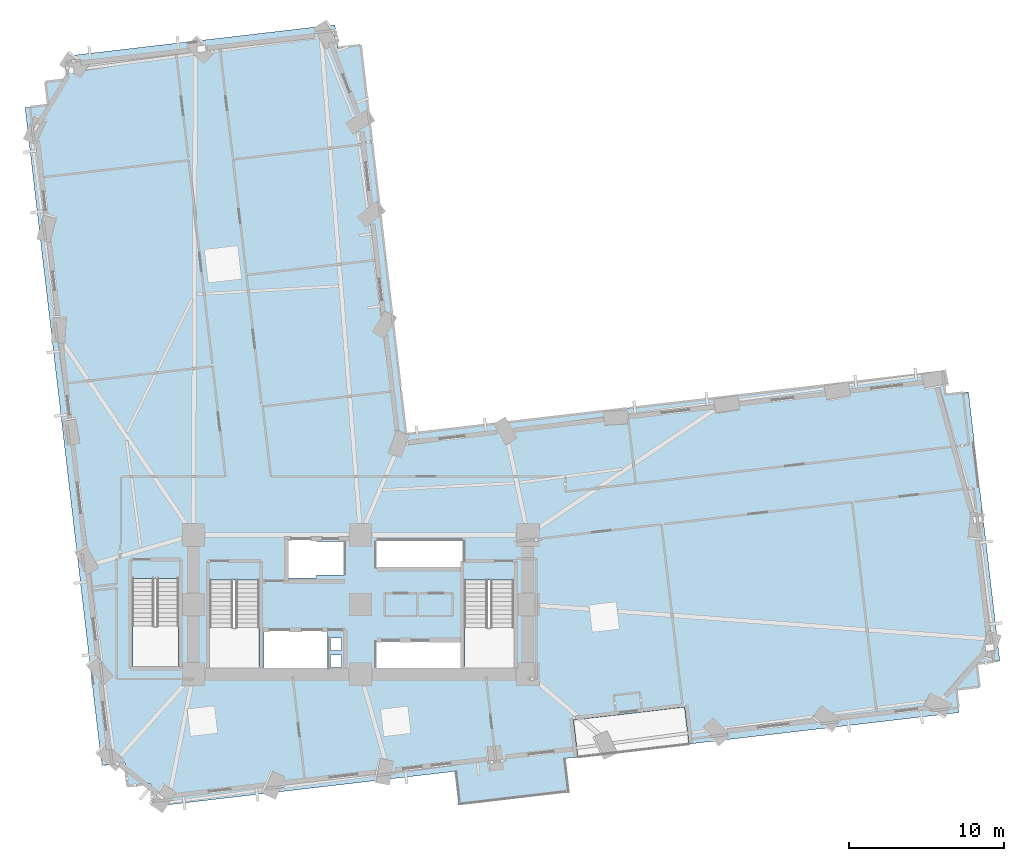
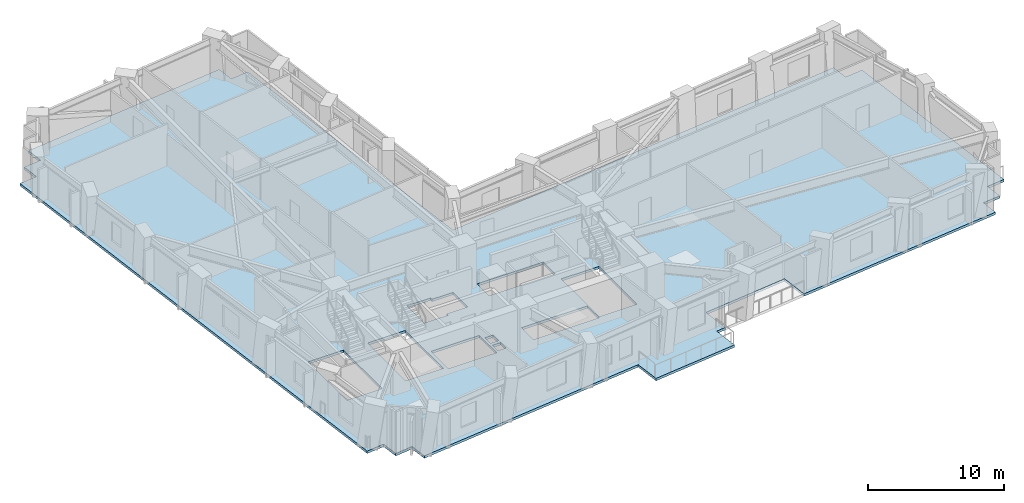
# One storey, part 4 of 14: 1 slab.
"""IFC4 building model written with IfcOpenShell, lengths in metres."""

from ifc_helpers import new_model, si_unit, direction, frame, origin, place, context, subcontext, project, spatial, polyline, outline, extrude, material, layer, layer_set, type_object, element, save


model = new_model("IFC4")

# Units and contexts
model_context = context("Model", 3, precision=1e-05, world=origin(), true_north=direction((0.0, 1.0)))
body_context = subcontext(model_context, "Body", "Model", "MODEL_VIEW")
ifc_project = project(units=[si_unit("LENGTHUNIT", "METRE"), si_unit("AREAUNIT", "SQUARE_METRE"), si_unit("VOLUMEUNIT", "CUBIC_METRE"), si_unit("PLANEANGLEUNIT", "RADIAN"), si_unit("MASSUNIT", "GRAM", prefix="KILO")], contexts=[model_context])

# Site, building, storey
site_placement = place(None, origin())
site = spatial("IfcSite", under=ifc_project, at=site_placement, CompositionType="ELEMENT")
building_placement = place(site_placement, origin())
building = spatial("IfcBuilding", under=site, at=building_placement, Name="Gaonmaruhae Medical Tower", CompositionType="ELEMENT")
storey_placement = place(building_placement, frame((0.0, 0.0, 51.0)))
storey = spatial("IfcBuildingStorey", under=building, at=storey_placement, Name="L11", CompositionType="ELEMENT", Elevation=51.0)

# Slab
ifc_material = material(Name="Concrete C40/50", Category="concrete")
ifc_layer = layer(ifc_material, 0.219970703125)
ifc_layer_set = layer_set([ifc_layer], Name="Concrete C40/50")
slab_type = type_object("IfcSlabType", Name="FS-220 Clinical Ward Composite Floor Slab", PredefinedType="FLOOR", material=ifc_layer_set)
slab_placement = place(storey_placement, frame((0.0, 0.0, -0.219970703125)))
element("IfcSlab", 1, at=slab_placement, inside=storey, type_object=slab_type, Name="L11 Structural Slab 1", PredefinedType="FLOOR", context=body_context, shape_type="SweptSolid", body=[
    extrude(outline(polyline([(11.23486328125, 0.748291015625), (9.744873046875, 0.574462890625), (9.5712890625, 2.064453125), (8.081298828125, 1.890625), (3.125, 44.402587890625), (4.61474609375, 44.576416015625), (4.441162109375, 46.06640625), (5.930908203125, 46.239990234375), (5.75732421875, 47.72998046875), (23.1396484375, 49.756591796875), (23.313232421875, 48.2666015625), (24.80322265625, 48.440185546875), (27.73291015625, 23.310546875), (62.398193359375, 27.35205078125), (62.572021484375, 25.8623046875), (64.061767578125, 26.035888671875), (66.08837890625, 8.65380859375), (64.598388671875, 8.47998046875), (64.772216796875, 6.989990234375), (63.2822265625, 6.81640625), (63.4560546875, 5.326416015625), (45.993408203125, 3.29052734375), (45.71533203125, 5.67431640625), (38.563720703125, 4.840576171875), (38.841796875, 2.456787109375), (38.047119140625, 2.364013671875), (38.302001953125, 0.1787109375), (31.150390625, -0.65478515625), (30.8955078125, 1.5302734375), (11.408447265625, -0.74169921875), (11.23486328125, 0.748291015625)]), holes=[polyline([(23.550048828125, 8.25), (22.85009765625, 8.25), (22.85009765625, 9.050048828125), (23.550048828125, 9.050048828125), (23.550048828125, 8.25)]), polyline([(25.824951171875, 9.925048828125), (31.425048828125, 9.925048828125), (31.425048828125, 8.175048828125), (25.824951171875, 8.175048828125), (25.824951171875, 9.925048828125)]), polyline([(22.64990234375, 10.625), (22.64990234375, 8.074951171875), (18.550048828125, 8.074951171875), (18.550048828125, 10.625), (22.64990234375, 10.625)]), polyline([(23.550048828125, 9.35009765625), (22.85009765625, 9.35009765625), (22.85009765625, 10.14990234375), (23.550048828125, 10.14990234375), (23.550048828125, 9.35009765625)]), polyline([(15.050048828125, 13.889892578125), (18.25, 13.889892578125), (18.25, 8.300048828125), (15.050048828125, 8.300048828125), (15.050048828125, 13.889892578125)]), polyline([(31.5, 13.889892578125), (34.699951171875, 13.889892578125), (34.699951171875, 8.300048828125), (31.5, 8.300048828125), (31.5, 13.889892578125)]), polyline([(10.050048828125, 13.989990234375), (13.050048828125, 13.989990234375), (13.050048828125, 8.300048828125), (10.050048828125, 8.300048828125), (10.050048828125, 13.989990234375)]), polyline([(21.949951171875, 14.02490234375), (19.949951171875, 14.02490234375), (19.949951171875, 16.574951171875), (21.949951171875, 16.574951171875), (21.949951171875, 16.375), (23.72509765625, 16.375), (23.72509765625, 14.22509765625), (21.949951171875, 14.22509765625), (21.949951171875, 14.02490234375)]), polyline([(31.425048828125, 16.425048828125), (31.425048828125, 14.675048828125), (25.824951171875, 14.675048828125), (25.824951171875, 16.425048828125), (31.425048828125, 16.425048828125)])]), origin(), (0.0, 0.0, 1.0), 0.219970703125),
])

save(model, "model.ifc")
